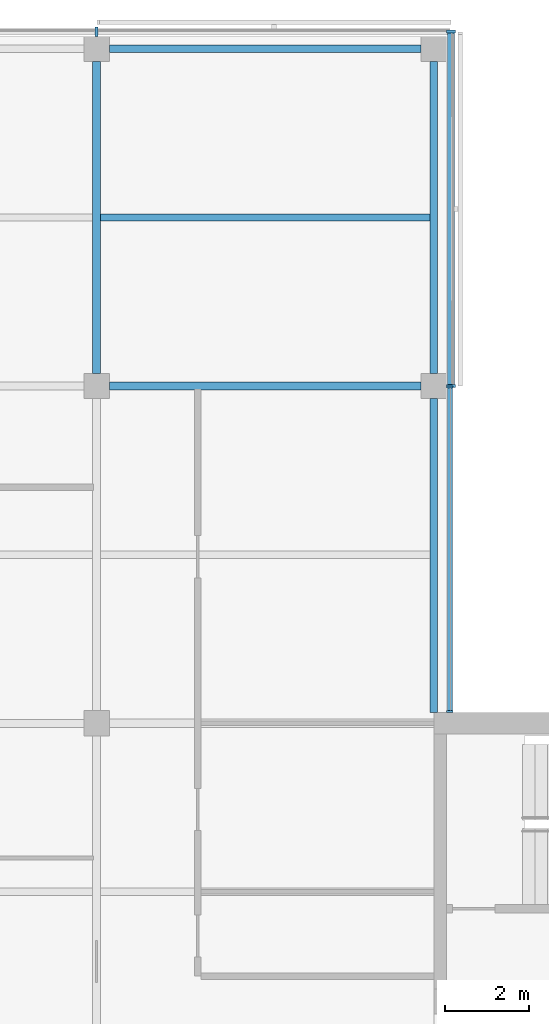
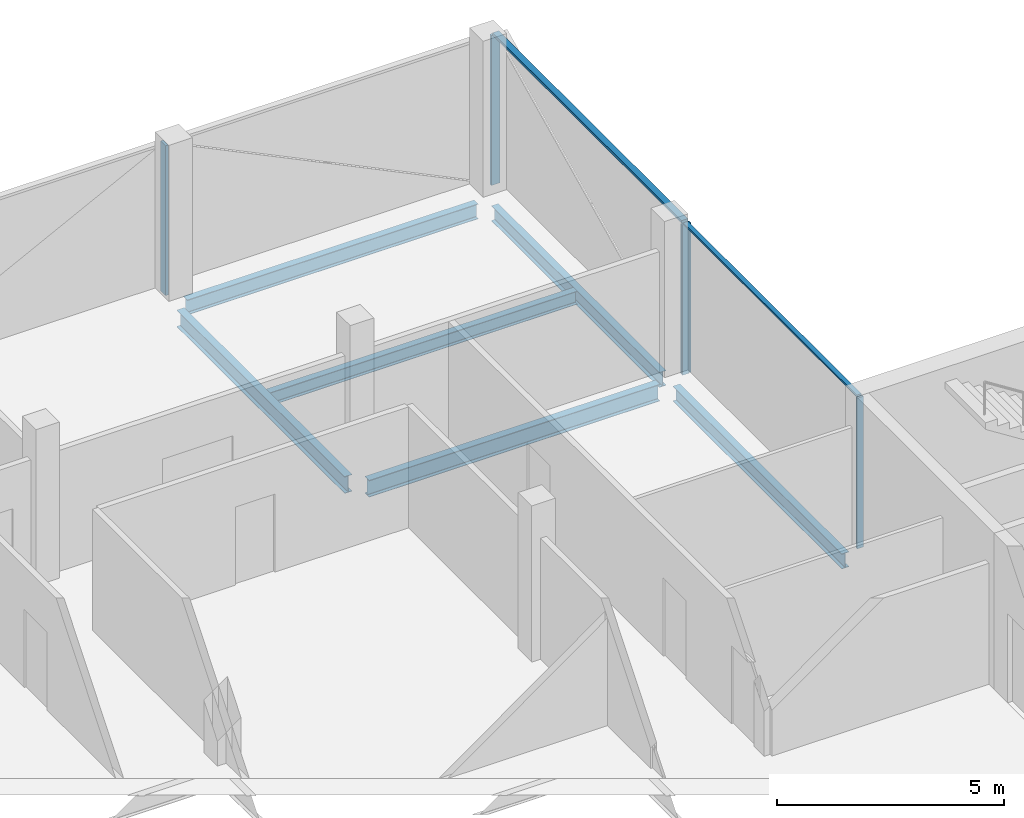
# One storey, part 7 of 16: 7 members, 6 beams, 3 elements without a shape of their own.
"""IFC4 building model written with IfcOpenShell, lengths in metres."""

from ifc_helpers import new_model, si_unit, direction, frame, origin, origin_2d, place, context, subcontext, project, spatial, rectangle, i_section, extrude, material, material_profile, profile_set, type_object, element, aggregate, save


model = new_model("IFC4")

# Units and contexts
model_context = context("Model", 3, precision=1e-05, world=origin(), true_north=direction((0.0, 1.0)))
body_context = subcontext(model_context, "Body", "Model", "MODEL_VIEW")
ifc_project = project(units=[si_unit("LENGTHUNIT", "METRE"), si_unit("AREAUNIT", "SQUARE_METRE"), si_unit("VOLUMEUNIT", "CUBIC_METRE"), si_unit("PLANEANGLEUNIT", "RADIAN"), si_unit("MASSUNIT", "GRAM", prefix="KILO")], contexts=[model_context])

# Site, building, storey
site_placement = place(None, origin())
site = spatial("IfcSite", under=ifc_project, at=site_placement, CompositionType="ELEMENT")
building_placement = place(site_placement, origin())
building = spatial("IfcBuilding", under=site, at=building_placement, Name="Crosswind Convention Tower", CompositionType="ELEMENT")
storey_placement = place(building_placement, frame((0.0, 0.0, 299.699951171875)))
storey = spatial("IfcBuildingStorey", under=building, at=storey_placement, Name="L65", CompositionType="ELEMENT", Elevation=299.699951171875)

# Beams
ifc_material_1 = material(Name="Steel S355", Category="steel")
ifc_material_profile_1 = material_profile(ifc_material_1, i_section(OverallWidth=0.177734375, OverallDepth=0.406494140625, WebThickness=0.0078125, FlangeThickness=0.0126953125, FilletRadius=0.01025390625, at=origin_2d()), Name="UB 406x178x60")
ifc_profile_set_1 = profile_set([ifc_material_profile_1], Name="Steel S355")
beam_type_1 = type_object("IfcBeamType", Name="Edge beam UB 406x178x60", PredefinedType="SPANDREL", material=ifc_profile_set_1)
beam_1_placement = place(storey_placement, frame((129.300048828125, 128.0, -0.503173828125), z_axis=(1.0, 0.0, 0.0), x_axis=(0.0, 1.0, 0.0)))
element("IfcBeam", 1, at=beam_1_placement, inside=storey, type_object=beam_type_1, Name="B15 L65 edge beam 10", PredefinedType="SPANDREL", context=body_context, shape_type="SweptSolid", body=[
    extrude(i_section(OverallWidth=0.177734375, OverallDepth=0.406494140625, WebThickness=0.0078125, FlangeThickness=0.0126953125, FilletRadius=0.01025390625, at=origin_2d()), origin(), (0.0, 0.0, 1.0), 7.39990234375),
])
beam_2_placement = place(storey_placement, frame((137.0, 112.25, -0.503173828125), z_axis=(0.0, 1.0, 0.0), x_axis=(-1.0, 0.0, 0.0)))
element("IfcBeam", 2, at=beam_2_placement, inside=storey, type_object=beam_type_1, Name="B15 L65 edge beam 13", PredefinedType="SPANDREL", context=body_context, shape_type="SweptSolid", body=[
    extrude(i_section(OverallWidth=0.177734375, OverallDepth=0.406494140625, WebThickness=0.0078125, FlangeThickness=0.0126953125, FilletRadius=0.01025390625, at=origin_2d()), origin(), (0.0, 0.0, 1.0), 7.449951171875),
])
beam_3_placement = place(storey_placement, frame((137.0, 120.300048828125, -0.503173828125), z_axis=(0.0, 1.0, 0.0), x_axis=(-1.0, 0.0, 0.0)))
element("IfcBeam", 3, at=beam_3_placement, inside=storey, type_object=beam_type_1, Name="B15 L65 edge beam 14", PredefinedType="SPANDREL", context=body_context, shape_type="SweptSolid", body=[
    extrude(i_section(OverallWidth=0.177734375, OverallDepth=0.406494140625, WebThickness=0.0078125, FlangeThickness=0.0126953125, FilletRadius=0.01025390625, at=origin_2d()), origin(), (0.0, 0.0, 1.0), 7.39990234375),
])
ifc_material_profile_2 = material_profile(ifc_material_1, i_section(OverallWidth=0.18994140625, OverallDepth=0.45361328125, WebThickness=0.008544921875, FlangeThickness=0.0126953125, FilletRadius=0.01025390625, at=origin_2d()), Name="UB 457x191x67")
ifc_profile_set_2 = profile_set([ifc_material_profile_2], Name="Steel S355")
beam_type_2 = type_object("IfcBeamType", Name="Girder UB 457x191x67", PredefinedType="BEAM", material=ifc_profile_set_2)
for number, where, z_axis, x_axis, name in (
    (4, (129.0, 120.300048828125, -0.52685546875), (0.0, 1.0, 0.0), (-1.0, 0.0, 0.0), "B1 L65 girder 22"),
    (5, (129.300048828125, 120.0, -0.52685546875), (1.0, 0.0, 0.0), (0.0, 1.0, 0.0), "B1 L65 girder 24"),
):
    element("IfcBeam", number, at=place(storey_placement, frame(where, z_axis=z_axis, x_axis=x_axis)), inside=storey, type_object=beam_type_2, Name=name, PredefinedType="BEAM", context=body_context, shape_type="SweptSolid", body=[
        extrude(i_section(OverallWidth=0.18994140625, OverallDepth=0.45361328125, WebThickness=0.008544921875, FlangeThickness=0.0126953125, FilletRadius=0.01025390625, at=origin_2d()), origin(), (0.0, 0.0, 1.0), 7.39990234375),
    ])

# Curtain wall, members
ifc_material_2 = material(Name="Aluminium unitised curtain wall", Category="aluminium")
curtain_wall_type_1 = type_object("IfcCurtainWallType", Name="CORE END SLOT WALL 160", PredefinedType="USERDEFINED", material=ifc_material_2)
curtain_wall_1_placement = place(storey_placement, origin())
curtain_wall_1 = element("IfcCurtainWall", 6, at=curtain_wall_1_placement, inside=storey, type_object=curtain_wall_type_1, Name="CW6 L65 N-E.1-1 slot", ObjectType="UNITISED", PredefinedType="USERDEFINED")
ifc_material_3 = material(Name="Aluminium mullion", Category="aluminium")
ifc_material_profile_3 = material_profile(ifc_material_3, rectangle(XDim=0.159912109375, YDim=0.050048828125, at=origin_2d()), Name="AL 160X50")
ifc_profile_set_3 = profile_set([ifc_material_profile_3], Name="Aluminium mullion")
member_type_1 = type_object("IfcMemberType", Name="MULLION 50X160", PredefinedType="MULLION", material=ifc_profile_set_3)
member_1_placement = place(storey_placement, frame((137.3798828125, 112.27490234375, -0.300048828125), z_axis=(0.0, 0.0, 1.0), x_axis=(1.0, 0.0, 0.0)))
member_1 = element("IfcMember", 7, at=member_1_placement, type_object=member_type_1, Name="CW6 mullion 1", PredefinedType="MULLION", context=body_context, shape_type="SweptSolid", body=[
    extrude(rectangle(XDim=0.159912109375, YDim=0.050048828125, at=origin_2d()), origin(), (0.0, 0.0, 1.0), 4.050048828125),
])
member_2_placement = place(storey_placement, frame((137.3798828125, 119.97509765625, -0.300048828125), z_axis=(0.0, 0.0, 1.0), x_axis=(1.0, 0.0, 0.0)))
member_2 = element("IfcMember", 8, at=member_2_placement, type_object=member_type_1, Name="CW6 mullion 2", PredefinedType="MULLION", context=body_context, shape_type="SweptSolid", body=[
    extrude(rectangle(XDim=0.159912109375, YDim=0.050048828125, at=origin_2d()), origin(), (0.0, 0.0, 1.0), 4.050048828125),
])

curtain_wall_type_2 = type_object("IfcCurtainWallType", Name="OFFICE UNITISED WALL 220", PredefinedType="USERDEFINED", material=ifc_material_2)
curtain_wall_2_placement = place(storey_placement, origin())
curtain_wall_2 = element("IfcCurtainWall", 9, at=curtain_wall_2_placement, inside=storey, type_object=curtain_wall_type_2, Name="CW3 L65 N-E 1", ObjectType="UNITISED", PredefinedType="USERDEFINED")
ifc_material_profile_4 = material_profile(ifc_material_3, rectangle(XDim=0.219970703125, YDim=0.070068359375, at=origin_2d()), Name="AL 220X70")
ifc_profile_set_4 = profile_set([ifc_material_profile_4], Name="Aluminium mullion")
member_type_2 = type_object("IfcMemberType", Name="MULLION 70X220", PredefinedType="MULLION", material=ifc_profile_set_4)
member_3_placement = place(storey_placement, frame((137.409912109375, 120.0, -0.300048828125), z_axis=(0.0, 0.0, 1.0), x_axis=(1.0, 0.0, 0.0)))
member_3 = element("IfcMember", 10, at=member_3_placement, type_object=member_type_2, Name="CW3 mullion 1", PredefinedType="MULLION", context=body_context, shape_type="SweptSolid", body=[
    extrude(rectangle(XDim=0.219970703125, YDim=0.070068359375, at=origin_2d()), origin(), (0.0, 0.0, 1.0), 4.030029296875),
])
member_4_placement = place(storey_placement, frame((137.409912109375, 128.409912109375, -0.300048828125), z_axis=(0.0, 0.0, 1.0), x_axis=(1.0, 0.0, 0.0)))
member_4 = element("IfcMember", 11, at=member_4_placement, type_object=member_type_2, Name="CW3 mullion 2", PredefinedType="MULLION", context=body_context, shape_type="SweptSolid", body=[
    extrude(rectangle(XDim=0.219970703125, YDim=0.070068359375, at=origin_2d()), origin(), (0.0, 0.0, 1.0), 4.030029296875),
])

# Curtain wall, member
curtain_wall_3_placement = place(storey_placement, origin())
curtain_wall_3 = element("IfcCurtainWall", 12, at=curtain_wall_3_placement, inside=storey, type_object=curtain_wall_type_2, Name="CW3 L65 N-TIP 1", ObjectType="UNITISED", PredefinedType="USERDEFINED")
member_5_placement = place(storey_placement, frame((129.0, 128.409912109375, -0.300048828125), z_axis=(0.0, 0.0, 1.0), x_axis=(0.0, 1.0, 0.0)))
member_5 = element("IfcMember", 13, at=member_5_placement, type_object=member_type_2, Name="CW3 mullion 2", PredefinedType="MULLION", context=body_context, shape_type="SweptSolid", body=[
    extrude(rectangle(XDim=0.219970703125, YDim=0.070068359375, at=origin_2d()), origin(), (0.0, 0.0, 1.0), 4.030029296875),
])
aggregate(curtain_wall_3, [member_5])

# Beam
ifc_material_profile_5 = material_profile(ifc_material_1, i_section(OverallWidth=0.17138671875, OverallDepth=0.355712890625, WebThickness=0.00732421875, FlangeThickness=0.011474609375, FilletRadius=0.01025390625, at=origin_2d()), Name="UB 356x171x51")
ifc_profile_set_5 = profile_set([ifc_material_profile_5], Name="Steel S355")
beam_type_3 = type_object("IfcBeamType", Name="Secondary beam UB 356x171x51", PredefinedType="JOIST", material=ifc_profile_set_5)
beam_4_placement = place(storey_placement, frame((129.094970703125, 124.0, -0.477783203125), z_axis=(1.0, 0.0, 0.0), x_axis=(0.0, 1.0, 0.0)))
element("IfcBeam", 14, at=beam_4_placement, inside=storey, type_object=beam_type_3, Name="B8 L65 secondary beam 21", PredefinedType="JOIST", context=body_context, shape_type="SweptSolid", body=[
    extrude(i_section(OverallWidth=0.17138671875, OverallDepth=0.355712890625, WebThickness=0.00732421875, FlangeThickness=0.011474609375, FilletRadius=0.01025390625, at=origin_2d()), origin(), (0.0, 0.0, 1.0), 7.816162109375),
])

# Member
ifc_material_4 = material(Name="Aluminium transom", Category="aluminium")
ifc_material_profile_6 = material_profile(ifc_material_4, rectangle(XDim=0.1201171875, YDim=0.050048828125, at=origin_2d()), Name="AL 120X50")
ifc_profile_set_6 = profile_set([ifc_material_profile_6], Name="Aluminium transom")
member_type_3 = type_object("IfcMemberType", Name="TRANSOM 50X120", PredefinedType="USERDEFINED", material=ifc_profile_set_6)
member_6_placement = place(storey_placement, frame((137.3798828125, 112.300048828125, 3.775146484375), z_axis=(0.0, 1.0, 0.0), x_axis=(-1.0, 0.0, 0.0)))
member_6 = element("IfcMember", 15, at=member_6_placement, type_object=member_type_3, Name="CW6 transom", ObjectType="TRANSOM", PredefinedType="USERDEFINED", context=body_context, shape_type="SweptSolid", body=[
    extrude(rectangle(XDim=0.1201171875, YDim=0.050048828125, at=origin_2d()), origin(), (0.0, 0.0, 1.0), 7.64990234375),
])

aggregate(curtain_wall_1, [member_1, member_2, member_6])

ifc_material_profile_7 = material_profile(ifc_material_4, rectangle(XDim=0.159912109375, YDim=0.070068359375, at=origin_2d()), Name="AL 160X70")
ifc_profile_set_7 = profile_set([ifc_material_profile_7], Name="Aluminium transom")
member_type_4 = type_object("IfcMemberType", Name="TRANSOM 70X160", PredefinedType="USERDEFINED", material=ifc_profile_set_7)
member_7_placement = place(storey_placement, frame((137.409912109375, 120.034912109375, 3.76513671875), z_axis=(0.0, 1.0, 0.0), x_axis=(-1.0, 0.0, 0.0)))
member_7 = element("IfcMember", 16, at=member_7_placement, type_object=member_type_4, Name="CW3 transom", ObjectType="TRANSOM", PredefinedType="USERDEFINED", context=body_context, shape_type="SweptSolid", body=[
    extrude(rectangle(XDim=0.159912109375, YDim=0.070068359375, at=origin_2d()), origin(), (0.0, 0.0, 1.0), 8.340087890625),
])

aggregate(curtain_wall_2, [member_3, member_4, member_7])

save(model, "model.ifc")
